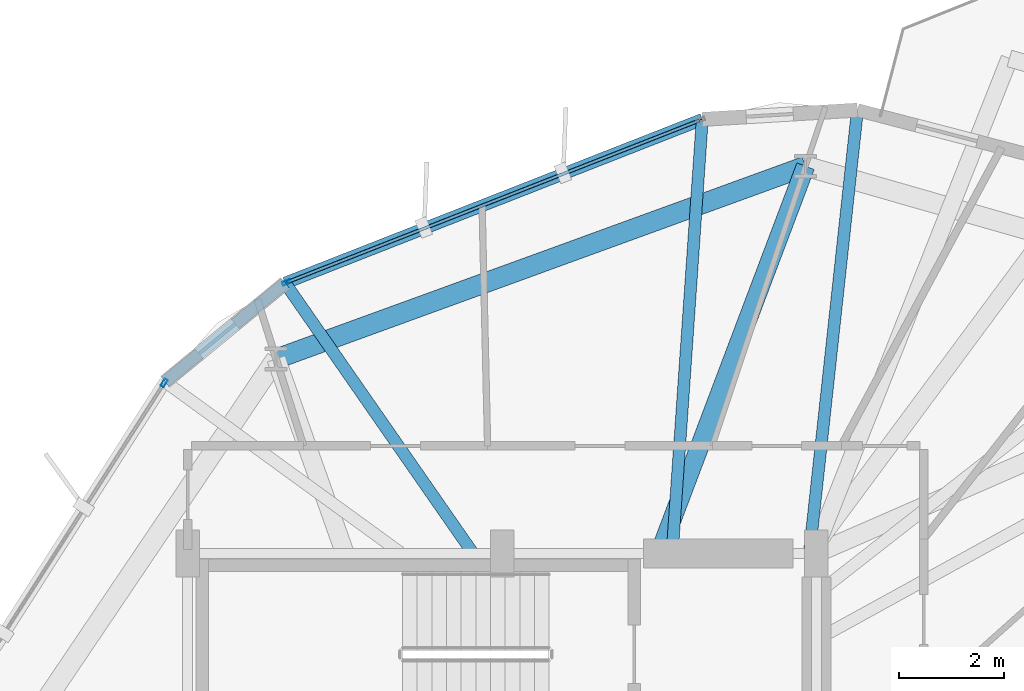
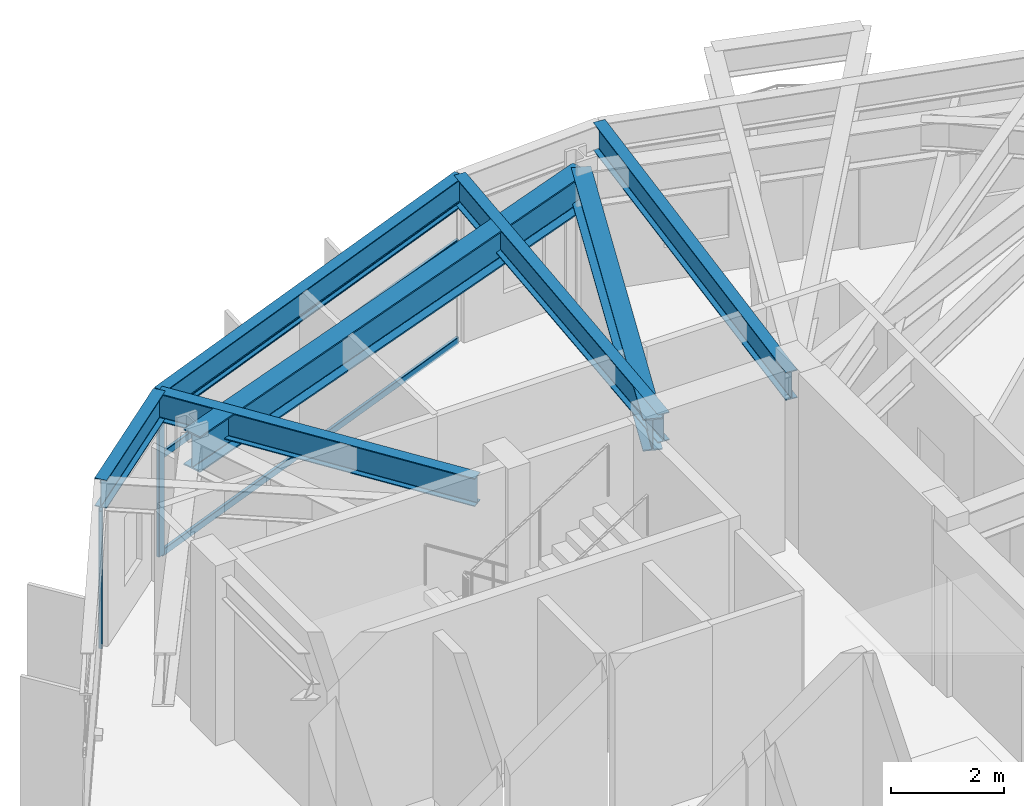
# One storey, part 13 of 22: 7 beams, 5 members, 2 elements without a shape of their own.
"""IFC4 building model written with IfcOpenShell, lengths in metres."""

from ifc_helpers import new_model, si_unit, direction, frame, origin, origin_2d, place, context, subcontext, project, spatial, hollow_rectangle, i_section, extrude, material, layer, layer_set, material_profile, profile_set, type_object, element, aggregate, save


model = new_model("IFC4")

# Units and contexts
model_context = context("Model", 3, precision=1e-05, world=origin(), true_north=direction((0.0, 1.0)))
body_context = subcontext(model_context, "Body", "Model", "MODEL_VIEW")
ifc_project = project(units=[si_unit("LENGTHUNIT", "METRE"), si_unit("AREAUNIT", "SQUARE_METRE"), si_unit("VOLUMEUNIT", "CUBIC_METRE"), si_unit("PLANEANGLEUNIT", "RADIAN"), si_unit("MASSUNIT", "GRAM", prefix="KILO")], contexts=[model_context])

# Site, building, storey
site_placement = place(None, origin())
site = spatial("IfcSite", under=ifc_project, at=site_placement, CompositionType="ELEMENT")
building_placement = place(site_placement, origin())
building = spatial("IfcBuilding", under=site, at=building_placement, Name="Soratama Intermodal Tower", CompositionType="ELEMENT")
storey_placement = place(building_placement, frame((0.0, 0.0, 110.800048828125)))
storey = spatial("IfcBuildingStorey", under=building, at=storey_placement, Name="L26", CompositionType="ELEMENT", Elevation=110.800048828125)

# Beams
ifc_material_1 = material(Name="Structural steel ASTM A992 Grade 50", Category="steel")
ifc_material_profile_1 = material_profile(ifc_material_1, i_section(OverallWidth=0.35498046875, OverallDepth=0.695068359375, WebThickness=0.015380859375, FlangeThickness=0.02490234375, FilletRadius=0.01611328125, at=origin_2d()), Name="W27X146")
ifc_profile_set_1 = profile_set([ifc_material_profile_1], Name="Structural steel ASTM A992 Grade 50")
beam_type_1 = type_object("IfcBeamType", Name="BM-RING-W27X146", PredefinedType="BEAM", material=ifc_profile_set_1)
beam_1_placement = place(storey_placement, frame((41.60009765625, 35.0, 3.25244140625), z_axis=(0.353577871145, 0.935405093549, 0.0), x_axis=(-0.935405093549, 0.353577871145, 0.0)))
element("IfcBeam", 1, at=beam_1_placement, inside=storey, type_object=beam_type_1, Name="BM-L26-RAD-03", PredefinedType="BEAM", context=body_context, shape_type="SweptSolid", body=[
    extrude(i_section(OverallWidth=0.35498046875, OverallDepth=0.695068359375, WebThickness=0.015380859375, FlangeThickness=0.02490234375, FilletRadius=0.01611328125, at=origin_2d()), origin(), (0.0, 0.0, 1.0), 7.899169921875),
])
ifc_material_2 = material(Name="Structural steel ASTM A992 Grade 50", Category="steel")
ifc_material_profile_2 = material_profile(ifc_material_2, i_section(OverallWidth=0.382080078125, OverallDepth=0.779052734375, WebThickness=0.01806640625, FlangeThickness=0.030029296875, FilletRadius=0.01806640625, at=origin_2d()), Name="W30X191")
ifc_profile_set_2 = profile_set([ifc_material_profile_2], Name="Structural steel ASTM A992 Grade 50")
beam_type_2 = type_object("IfcBeamType", Name="BM-RING-W30X191", PredefinedType="BEAM", material=ifc_profile_set_2)
beam_2_placement = place(storey_placement, frame((44.39306640625, 42.388916015625, 3.21044921875), z_axis=(-0.939690636038, -0.342025596326, 0.0), x_axis=(0.342025596326, -0.939690636038, 0.0)))
element("IfcBeam", 2, at=beam_2_placement, inside=storey, type_object=beam_type_2, Name="BM-L26-RING-03", PredefinedType="BEAM", context=body_context, shape_type="SweptSolid", body=[
    extrude(i_section(OverallWidth=0.382080078125, OverallDepth=0.779052734375, WebThickness=0.01806640625, FlangeThickness=0.030029296875, FilletRadius=0.01806640625, at=origin_2d()), origin(), (0.0, 0.0, 1.0), 10.75341796875),
])
ifc_material_3 = material(Name="Structural steel ASTM A992 Grade 50", Category="steel")
ifc_material_profile_3 = material_profile(ifc_material_3, i_section(OverallWidth=0.22900390625, OverallDepth=0.612060546875, WebThickness=0.011962890625, FlangeThickness=0.01953125, FilletRadius=0.012939453125, at=origin_2d()), Name="W24X84")
ifc_profile_set_3 = profile_set([ifc_material_profile_3], Name="Structural steel ASTM A992 Grade 50")
beam_type_3 = type_object("IfcBeamType", Name="BM-SPN-W24X84", PredefinedType="SPANDREL", material=ifc_profile_set_3)
beam_3_placement = place(storey_placement, frame((42.4208984375, 43.282958984375, 3.2939453125), z_axis=(-0.930944278526, -0.365161266126, 0.0), x_axis=(0.365161266126, -0.930944278526, 0.0)))
element("IfcBeam", 3, at=beam_3_placement, inside=storey, type_object=beam_type_3, Name="BS-L26-F03", PredefinedType="SPANDREL", context=body_context, shape_type="SweptSolid", body=[
    extrude(i_section(OverallWidth=0.22900390625, OverallDepth=0.612060546875, WebThickness=0.011962890625, FlangeThickness=0.01953125, FilletRadius=0.012939453125, at=origin_2d()), origin(), (0.0, 0.0, 1.0), 8.552490234375),
])
beam_4_placement = place(storey_placement, frame((34.458984375, 40.159912109375, 3.2939453125), z_axis=(-0.772507111657, -0.635006112128, 0.0), x_axis=(0.635006112128, -0.772507111657, 0.0)))
element("IfcBeam", 4, at=beam_4_placement, inside=storey, type_object=beam_type_3, Name="BS-L26-CRN03", PredefinedType="SPANDREL", context=body_context, shape_type="SweptSolid", body=[
    extrude(i_section(OverallWidth=0.22900390625, OverallDepth=0.612060546875, WebThickness=0.011962890625, FlangeThickness=0.01953125, FilletRadius=0.012939453125, at=origin_2d()), origin(), (0.0, 0.0, 1.0), 2.967041015625),
])
ifc_material_4 = material(Name="Structural steel ASTM A992 Grade 50", Category="steel")
ifc_material_profile_4 = material_profile(ifc_material_4, i_section(OverallWidth=0.22900390625, OverallDepth=0.612060546875, WebThickness=0.011962890625, FlangeThickness=0.01953125, FilletRadius=0.012939453125, at=origin_2d()), Name="W24X84")
ifc_profile_set_4 = profile_set([ifc_material_profile_4], Name="Structural steel ASTM A992 Grade 50")
beam_type_4 = type_object("IfcBeamType", Name="BM-TIE-W24X84", PredefinedType="BEAM", material=ifc_profile_set_4)
beam_5_placement = place(storey_placement, frame((44.469970703125, 35.0400390625, 3.2939453125), z_axis=(0.107811438405, 0.994171360354, 0.0), x_axis=(-0.994171360354, 0.107811438405, 0.0)))
element("IfcBeam", 5, at=beam_5_placement, inside=storey, type_object=beam_type_4, Name="BM-L26-TIE1-02", PredefinedType="BEAM", context=body_context, shape_type="SweptSolid", body=[
    extrude(i_section(OverallWidth=0.22900390625, OverallDepth=0.612060546875, WebThickness=0.011962890625, FlangeThickness=0.01953125, FilletRadius=0.012939453125, at=origin_2d()), origin(), (0.0, 0.0, 1.0), 8.46923828125),
])
beam_6_placement = place(storey_placement, frame((41.84912109375, 35.0400390625, 3.2939453125), z_axis=(0.069199592441, 0.997602835003, 0.0), x_axis=(-0.997602835003, 0.069199592441, 0.0)))
element("IfcBeam", 6, at=beam_6_placement, inside=storey, type_object=beam_type_4, Name="BM-L26-TIE0-03", PredefinedType="BEAM", context=body_context, shape_type="SweptSolid", body=[
    extrude(i_section(OverallWidth=0.22900390625, OverallDepth=0.612060546875, WebThickness=0.011962890625, FlangeThickness=0.01953125, FilletRadius=0.012939453125, at=origin_2d()), origin(), (0.0, 0.0, 1.0), 8.2626953125),
])
beam_7_placement = place(storey_placement, frame((38.02392578125, 35.032958984375, 3.2939453125), z_axis=(-0.570888067319, 0.821027901226, 0.0), x_axis=(-0.821027901226, -0.570888067319, 0.0)))
element("IfcBeam", 7, at=beam_7_placement, inside=storey, type_object=beam_type_4, Name="BM-L26-TIE1-03", PredefinedType="BEAM", context=body_context, shape_type="SweptSolid", body=[
    extrude(i_section(OverallWidth=0.22900390625, OverallDepth=0.612060546875, WebThickness=0.011962890625, FlangeThickness=0.01953125, FilletRadius=0.012939453125, at=origin_2d()), origin(), (0.0, 0.0, 1.0), 6.24462890625),
])

# Curtain wall, member
ifc_material_5 = material(Name="Double-glazed aluminium curtain wall", Category="aluminium")
ifc_layer = layer(ifc_material_5, 0.159912109375)
ifc_layer_set = layer_set([ifc_layer], Name="Double-glazed aluminium curtain wall")
curtain_wall_type = type_object("IfcCurtainWallType", Name="CW-SYS-3", PredefinedType="NOTDEFINED", material=ifc_layer_set)
curtain_wall_1_placement = place(storey_placement, origin())
curtain_wall_1 = element("IfcCurtainWall", 8, at=curtain_wall_1_placement, inside=storey, type_object=curtain_wall_type, Name="L26 Faceted Curtain Wall F03", PredefinedType="NOTDEFINED")
ifc_material_6 = material(Name="Anodised aluminium AA 6063-T6", Category="aluminium")
ifc_material_profile_5 = material_profile(ifc_material_6, hollow_rectangle(XDim=0.070068359375, YDim=0.159912109375, WallThickness=0.0048828125, InnerFilletRadius=0.0048828125, OuterFilletRadius=0.010009765625, at=origin_2d()), Name="CWM160X70X5")
ifc_profile_set_5 = profile_set([ifc_material_profile_5], Name="Anodised aluminium AA 6063-T6")
member_type_1 = type_object("IfcMemberType", Name="MT-CWM-3", PredefinedType="MULLION", material=ifc_profile_set_5)
member_1_placement = place(storey_placement, frame((34.48681640625, 40.170654296875, 0.0), z_axis=(0.0, 0.0, 1.0), x_axis=(0.36520813039, -0.93092589474, 0.0)))
member_1 = element("IfcMember", 9, at=member_1_placement, type_object=member_type_1, Name="CW-3 mullion 2", PredefinedType="MULLION", context=body_context, shape_type="SweptSolid", body=[
    extrude(hollow_rectangle(XDim=0.070068359375, YDim=0.159912109375, WallThickness=0.0048828125, InnerFilletRadius=0.0048828125, OuterFilletRadius=0.010009765625, at=origin_2d()), origin(), (0.0, 0.0, 1.0), 2.97900390625),
])

curtain_wall_2_placement = place(storey_placement, origin())
curtain_wall_2 = element("IfcCurtainWall", 10, at=curtain_wall_2_placement, inside=storey, type_object=curtain_wall_type, Name="L26 Faceted Curtain Wall F04", PredefinedType="NOTDEFINED")
member_2_placement = place(storey_placement, frame((32.151123046875, 38.250732421875, 0.0), z_axis=(0.0, 0.0, 1.0), x_axis=(0.842639380895, -0.538478294608, 0.0)))
member_2 = element("IfcMember", 11, at=member_2_placement, type_object=member_type_1, Name="CW-3 mullion 1", PredefinedType="MULLION", context=body_context, shape_type="SweptSolid", body=[
    extrude(hollow_rectangle(XDim=0.070068359375, YDim=0.159912109375, WallThickness=0.0048828125, InnerFilletRadius=0.0048828125, OuterFilletRadius=0.010009765625, at=origin_2d()), origin(), (0.0, 0.0, 1.0), 2.97900390625),
])
aggregate(curtain_wall_2, [member_2])

# Member
ifc_material_7 = material(Name="Anodised aluminium AA 6063-T6", Category="aluminium")
ifc_material_profile_6 = material_profile(ifc_material_7, hollow_rectangle(XDim=0.06494140625, YDim=0.14990234375, WallThickness=0.0048828125, InnerFilletRadius=0.0048828125, OuterFilletRadius=0.010009765625, at=origin_2d()), Name="CWT150X65X5")
ifc_profile_set_6 = profile_set([ifc_material_profile_6], Name="Anodised aluminium AA 6063-T6")
member_type_2 = type_object("IfcMemberType", Name="TT-CWT-1", PredefinedType="USERDEFINED", material=ifc_profile_set_6)
member_3_placement = place(storey_placement, frame((42.365478515625, 43.261474609375, 0.030029296875), z_axis=(-0.930916078141, -0.36523315219, 0.0), x_axis=(0.36523315219, -0.930916078141, 0.0)))
member_3 = element("IfcMember", 12, at=member_3_placement, type_object=member_type_2, Name="CW-3 transom 1.1", ObjectType="TRANSOM", PredefinedType="USERDEFINED", context=body_context, shape_type="SweptSolid", body=[
    extrude(hollow_rectangle(XDim=0.06494140625, YDim=0.14990234375, WallThickness=0.0048828125, InnerFilletRadius=0.0048828125, OuterFilletRadius=0.010009765625, at=origin_2d()), origin(), (0.0, 0.0, 1.0), 8.43310546875),
])

member_4_placement = place(storey_placement, frame((42.365478515625, 43.261474609375, 2.14990234375), z_axis=(-0.930916078141, -0.36523315219, 0.0), x_axis=(0.36523315219, -0.930916078141, 0.0)))
member_4 = element("IfcMember", 13, at=member_4_placement, type_object=member_type_2, Name="CW-3 transom 1.2", ObjectType="TRANSOM", PredefinedType="USERDEFINED", context=body_context, shape_type="SweptSolid", body=[
    extrude(hollow_rectangle(XDim=0.06494140625, YDim=0.14990234375, WallThickness=0.0048828125, InnerFilletRadius=0.0048828125, OuterFilletRadius=0.010009765625, at=origin_2d()), origin(), (0.0, 0.0, 1.0), 8.43310546875),
])

member_5_placement = place(storey_placement, frame((42.365478515625, 43.261474609375, 2.948974609375), z_axis=(-0.930916078141, -0.36523315219, 0.0), x_axis=(0.36523315219, -0.930916078141, 0.0)))
member_5 = element("IfcMember", 14, at=member_5_placement, type_object=member_type_2, Name="CW-3 transom 1.3", ObjectType="TRANSOM", PredefinedType="USERDEFINED", context=body_context, shape_type="SweptSolid", body=[
    extrude(hollow_rectangle(XDim=0.06494140625, YDim=0.14990234375, WallThickness=0.0048828125, InnerFilletRadius=0.0048828125, OuterFilletRadius=0.010009765625, at=origin_2d()), origin(), (0.0, 0.0, 1.0), 8.43310546875),
])

aggregate(curtain_wall_1, [member_1, member_3, member_4, member_5])

save(model, "model.ifc")
